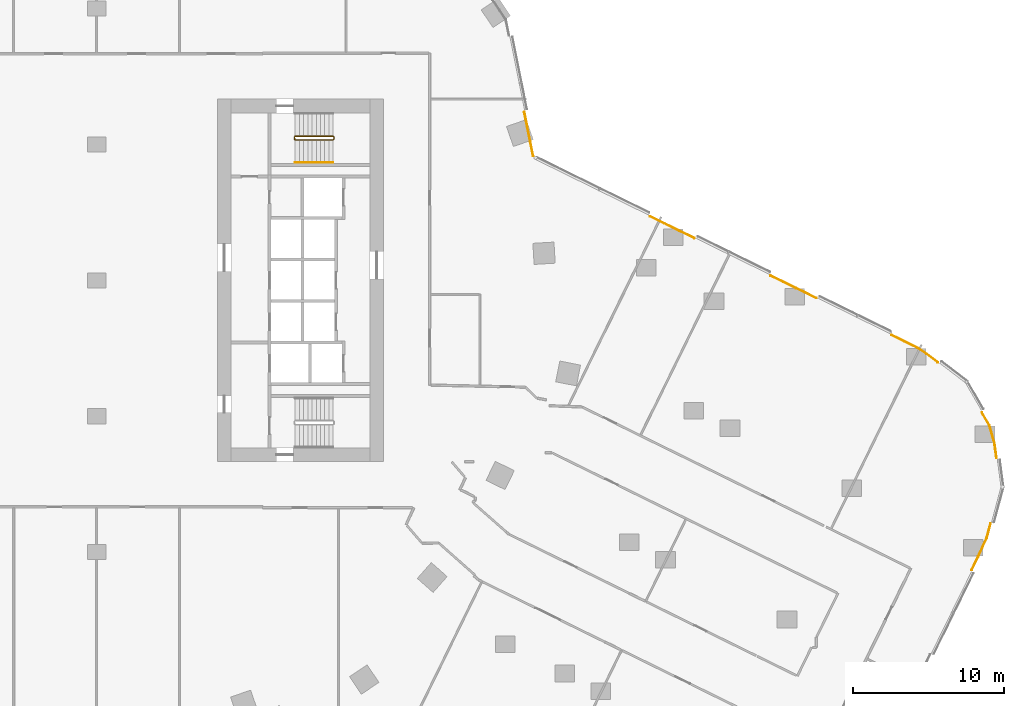
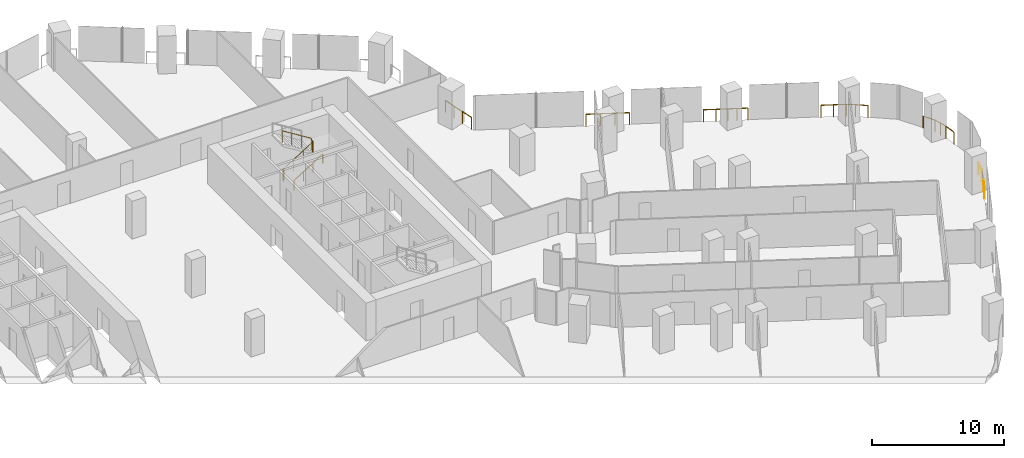
# One storey, part 31 of 32: 12 railings.
"""IFC4 building model written with IfcOpenShell, lengths in metres."""

from ifc_helpers import new_model, si_unit, direction, frame, origin, origin_2d, place, context, subcontext, project, spatial, circle, extrude, material, type_object, element, save


model = new_model("IFC4")

# Units and contexts
model_context = context("Model", 3, precision=1e-05, world=origin(), true_north=direction((0.0, 1.0)))
body_context = subcontext(model_context, "Body", "Model", "MODEL_VIEW")
ifc_project = project(units=[si_unit("LENGTHUNIT", "METRE"), si_unit("AREAUNIT", "SQUARE_METRE"), si_unit("VOLUMEUNIT", "CUBIC_METRE"), si_unit("PLANEANGLEUNIT", "RADIAN"), si_unit("MASSUNIT", "GRAM", prefix="KILO")], contexts=[model_context])

# Site, building, storey
site_placement = place(None, origin())
site = spatial("IfcSite", under=ifc_project, at=site_placement, CompositionType="ELEMENT")
building_placement = place(site_placement, origin())
building = spatial("IfcBuilding", under=site, at=building_placement, Name="Orlundy Tower", CompositionType="ELEMENT")
storey_placement = place(building_placement, frame((0.0, 0.0, 58.800048828125)))
storey = spatial("IfcBuildingStorey", under=building, at=storey_placement, Name="L13", CompositionType="ELEMENT", Elevation=58.800048828125)

# Railings
ifc_material_1 = material(Name="Steel balustrade", Category="steel")
railing_type_1 = type_object("IfcRailingType", Name="Stair Guard 1100", PredefinedType="GUARDRAIL", material=ifc_material_1)
railing_1_placement = place(storey_placement, frame((13.090087890625, 9.35009765625, 0.0)))
element("IfcRailing", 1, at=railing_1_placement, inside=storey, type_object=railing_type_1, Name="L13 ST-E2 stair guard 1", PredefinedType="GUARDRAIL", context=body_context, shape_type="SweptSolid", body=[
    extrude(circle(Radius=0.02392578125, at=origin_2d()), frame((0.0, 0.0, 1.076171875), z_axis=(0.0, 1.0, 0.0), x_axis=(-1.0, 0.0, 0.0)), (0.0, 0.0, 1.0), 0.14990234375),
    extrude(circle(Radius=0.02392578125, at=origin_2d()), frame((0.0, 0.14990234375, 1.076171875), z_axis=(0.18420542264, -0.739530593833, 0.647427882513), x_axis=(0.970351222016, 0.241699205484, 0.0)), (0.0, 0.0, 1.0), 0.270263671875),
    extrude(circle(Radius=0.02392578125, at=origin_2d()), frame((0.0498046875, -0.050048828125, 1.2509765625), z_axis=(0.848007534815, 0.0, 0.529984170421), x_axis=(0.0, 1.0, 0.0)), (0.0, 0.0, 1.0), 2.9716796875),
    extrude(circle(Radius=0.02392578125, at=origin_2d()), frame((2.56982421875, -0.050048828125, 2.826171875), z_axis=(0.707106781187, 0.707106781187, 0.0), x_axis=(-0.707106781187, 0.707106781187, 0.0)), (0.0, 0.0, 1.0), 0.07080078125),
    extrude(circle(Radius=0.02392578125, at=origin_2d()), frame((2.619873046875, 0.0, 2.826171875), z_axis=(0.0, 1.0, 0.0), x_axis=(-1.0, 0.0, 0.0)), (0.0, 0.0, 1.0), 0.14990234375),
    extrude(circle(Radius=0.02392578125, at=origin_2d()), frame((2.619873046875, 0.14990234375, 2.826171875), z_axis=(-0.265065253269, 0.265065253269, 0.927081885822), x_axis=(-0.707106781187, -0.707106781187, 0.0)), (0.0, 0.0, 1.0), 0.188720703125),
    extrude(circle(Radius=0.02392578125, at=origin_2d()), frame((2.56982421875, 0.199951171875, 3.0009765625), z_axis=(-0.848007534815, 0.0, 0.529984170421), x_axis=(0.0, -1.0, 0.0)), (0.0, 0.0, 1.0), 2.9716796875),
    extrude(circle(Radius=0.02099609375, at=origin_2d()), origin(), (0.0, 0.0, 1.0), 1.052001953125),
    extrude(circle(Radius=0.02099609375, at=origin_2d()), frame((0.0, 0.14990234375, 0.0)), (0.0, 0.0, 1.0), 1.052001953125),
    extrude(circle(Radius=0.02099609375, at=origin_2d()), frame((0.0498046875, -0.050048828125, 0.175048828125)), (0.0, 0.0, 1.0), 1.052001953125),
    extrude(circle(Radius=0.02099609375, at=origin_2d()), frame((0.889892578125, -0.050048828125, 0.699951171875)), (0.0, 0.0, 1.0), 1.052001953125),
    extrude(circle(Radius=0.02099609375, at=origin_2d()), frame((1.729736328125, -0.050048828125, 1.22509765625)), (0.0, 0.0, 1.0), 1.052001953125),
    extrude(circle(Radius=0.02099609375, at=origin_2d()), frame((2.56982421875, -0.050048828125, 1.75)), (0.0, 0.0, 1.0), 1.052001953125),
    extrude(circle(Radius=0.02099609375, at=origin_2d()), frame((2.619873046875, 0.0, 1.75)), (0.0, 0.0, 1.0), 1.052001953125),
    extrude(circle(Radius=0.02099609375, at=origin_2d()), frame((2.619873046875, 0.14990234375, 1.75)), (0.0, 0.0, 1.0), 1.052001953125),
    extrude(circle(Radius=0.02099609375, at=origin_2d()), frame((2.56982421875, 0.199951171875, 1.925048828125)), (0.0, 0.0, 1.0), 1.052001953125),
    extrude(circle(Radius=0.02099609375, at=origin_2d()), frame((1.729736328125, 0.199951171875, 2.449951171875)), (0.0, 0.0, 1.0), 1.052001953125),
    extrude(circle(Radius=0.02099609375, at=origin_2d()), frame((0.889892578125, 0.199951171875, 2.97509765625)), (0.0, 0.0, 1.0), 1.052001953125),
    extrude(circle(Radius=0.02099609375, at=origin_2d()), frame((0.0498046875, 0.199951171875, 3.5)), (0.0, 0.0, 1.0), 1.052001953125),
])
ifc_material_2 = material(Name="Steel handrail", Category="steel")
railing_type_2 = type_object("IfcRailingType", Name="Stair Handrail 900", PredefinedType="HANDRAIL", material=ifc_material_2)
railing_2_placement = place(storey_placement, frame((13.139892578125, 7.800048828125, 0.175048828125)))
element("IfcRailing", 2, at=railing_2_placement, inside=storey, type_object=railing_type_2, Name="L13 ST-E2 stair handrail 1", PredefinedType="HANDRAIL", context=body_context, shape_type="SweptSolid", body=[
    extrude(circle(Radius=0.02392578125, at=origin_2d()), frame((0.0, 0.0, 0.8759765625), z_axis=(0.848007534815, 0.0, 0.529984170421), x_axis=(0.0, 1.0, 0.0)), (0.0, 0.0, 1.0), 2.9716796875),
    extrude(circle(Radius=0.02099609375, at=origin_2d()), origin(), (0.0, 0.0, 1.0), 0.851806640625),
    extrude(circle(Radius=0.02099609375, at=origin_2d()), frame((0.840087890625, 0.0, 0.52490234375)), (0.0, 0.0, 1.0), 0.851806640625),
    extrude(circle(Radius=0.02099609375, at=origin_2d()), frame((1.679931640625, 0.0, 1.050048828125)), (0.0, 0.0, 1.0), 0.851806640625),
    extrude(circle(Radius=0.02099609375, at=origin_2d()), frame((2.52001953125, 0.0, 1.574951171875)), (0.0, 0.0, 1.0), 0.851806640625),
])
ifc_material_3 = material(Name="Stainless steel bronze finish", Category="steel")
railing_type_3 = type_object("IfcRailingType", Name="TG1 terrace guard", PredefinedType="GUARDRAIL", material=ifc_material_3)
railing_3_placement = place(storey_placement, frame((52.6396484375, -3.624755859375, 0.0)))
element("IfcRailing", 3, at=railing_3_placement, inside=storey, type_object=railing_type_3, Name="Guard TG-L13-E00", PredefinedType="GUARDRAIL", context=body_context, shape_type="SweptSolid", body=[
    extrude(circle(Radius=0.02490234375, at=origin_2d()), frame((0.0, 0.0, 1.09521484375), z_axis=(0.897517137834, -0.440979576958, 0.0), x_axis=(0.440979576958, 0.897517137834, 0.0)), (0.0, 0.0, 1.0), 1.91455078125),
    extrude(circle(Radius=0.02490234375, at=origin_2d()), frame((1.71826171875, -0.84423828125, 1.09521484375), z_axis=(0.832208912276, -0.554462195581, 0.0), x_axis=(0.554462195581, 0.832208912276, 0.0)), (0.0, 0.0, 1.0), 0.710205078125),
    extrude(circle(Radius=0.02490234375, at=origin_2d()), frame((2.309326171875, -1.238037109375, 1.09521484375), z_axis=(0.794387153387, -0.607411763578, 0.0), x_axis=(0.607411763578, 0.794387153387, 0.0)), (0.0, 0.0, 1.0), 0.9453125),
    extrude(circle(Radius=0.02001953125, at=origin_2d()), origin(), (0.0, 0.0, 1.0), 1.070068359375),
    extrude(circle(Radius=0.02001953125, at=origin_2d()), frame((0.859130859375, -0.422119140625, 0.0)), (0.0, 0.0, 1.0), 1.070068359375),
    extrude(circle(Radius=0.02001953125, at=origin_2d()), frame((1.71826171875, -0.84423828125, 0.0)), (0.0, 0.0, 1.0), 1.070068359375),
    extrude(circle(Radius=0.02001953125, at=origin_2d()), frame((2.309326171875, -1.238037109375, 0.0)), (0.0, 0.0, 1.0), 1.070068359375),
    extrude(circle(Radius=0.02001953125, at=origin_2d()), frame((3.060302734375, -1.812255859375, 0.0)), (0.0, 0.0, 1.0), 1.070068359375),
])
railing_4_placement = place(storey_placement, frame((36.631103515625, 4.240478515625, 0.0)))
element("IfcRailing", 4, at=railing_4_placement, inside=storey, type_object=railing_type_3, Name="Guard TG-L13-E06", PredefinedType="GUARDRAIL", context=body_context, shape_type="SweptSolid", body=[
    extrude(circle(Radius=0.02490234375, at=origin_2d()), frame((0.0, 0.0, 1.09521484375), z_axis=(0.897526976427, -0.440959552098, 0.0), x_axis=(0.440959552098, 0.897526976427, 0.0)), (0.0, 0.0, 1.0), 3.284912109375),
    extrude(circle(Radius=0.02001953125, at=origin_2d()), origin(), (0.0, 0.0, 1.0), 1.070068359375),
    extrude(circle(Radius=0.02001953125, at=origin_2d()), frame((0.982666015625, -0.48291015625, 0.0)), (0.0, 0.0, 1.0), 1.070068359375),
    extrude(circle(Radius=0.02001953125, at=origin_2d()), frame((1.965576171875, -0.965576171875, 0.0)), (0.0, 0.0, 1.0), 1.070068359375),
    extrude(circle(Radius=0.02001953125, at=origin_2d()), frame((2.9482421875, -1.448486328125, 0.0)), (0.0, 0.0, 1.0), 1.070068359375),
])
railing_5_placement = place(storey_placement, frame((58.6201171875, -8.74169921875, 0.0)))
element("IfcRailing", 5, at=railing_5_placement, inside=storey, type_object=railing_type_3, Name="Guard TG-L13-E07", PredefinedType="GUARDRAIL", context=body_context, shape_type="SweptSolid", body=[
    extrude(circle(Radius=0.02490234375, at=origin_2d()), frame((0.0, 0.0, 1.09521484375), z_axis=(0.500988475711, -0.865453954411, 0.0), x_axis=(0.865453954411, 0.500988475711, 0.0)), (0.0, 0.0, 1.0), 1.0068359375),
    extrude(circle(Radius=0.02490234375, at=origin_2d()), frame((0.50439453125, -0.871337890625, 1.09521484375), z_axis=(0.275950028505, -0.96117198345, 0.0), x_axis=(0.96117198345, 0.275950028505, 0.0)), (0.0, 0.0, 1.0), 1.206787109375),
    extrude(circle(Radius=0.02490234375, at=origin_2d()), frame((0.83740234375, -2.03125, 1.09521484375), z_axis=(0.131921441122, -0.991260174411, 0.0), x_axis=(0.991260174411, 0.131921441122, 0.0)), (0.0, 0.0, 1.0), 0.989990234375),
    extrude(circle(Radius=0.02001953125, at=origin_2d()), origin(), (0.0, 0.0, 1.0), 1.070068359375),
    extrude(circle(Radius=0.02001953125, at=origin_2d()), frame((0.50439453125, -0.871337890625, 0.0)), (0.0, 0.0, 1.0), 1.070068359375),
    extrude(circle(Radius=0.02001953125, at=origin_2d()), frame((0.6708984375, -1.451171875, 0.0)), (0.0, 0.0, 1.0), 1.070068359375),
    extrude(circle(Radius=0.02001953125, at=origin_2d()), frame((0.83740234375, -2.03125, 0.0)), (0.0, 0.0, 1.0), 1.070068359375),
    extrude(circle(Radius=0.02001953125, at=origin_2d()), frame((0.968017578125, -3.0126953125, 0.0)), (0.0, 0.0, 1.0), 1.070068359375),
])
railing_6_placement = place(storey_placement, frame((28.32080078125, 11.15185546875, 0.0)))
element("IfcRailing", 6, at=railing_6_placement, inside=storey, type_object=railing_type_3, Name="Guard TG-L13-E010", PredefinedType="GUARDRAIL", context=body_context, shape_type="SweptSolid", body=[
    extrude(circle(Radius=0.02490234375, at=origin_2d()), frame((0.0, 0.0, 1.09521484375), z_axis=(0.19655729304, -0.980492340895, 0.0), x_axis=(0.980492340895, 0.19655729304, 0.0)), (0.0, 0.0, 1.0), 2.979736328125),
    extrude(circle(Radius=0.02001953125, at=origin_2d()), origin(), (0.0, 0.0, 1.0), 1.070068359375),
    extrude(circle(Radius=0.02001953125, at=origin_2d()), frame((0.1953125, -0.973876953125, 0.0)), (0.0, 0.0, 1.0), 1.070068359375),
    extrude(circle(Radius=0.02001953125, at=origin_2d()), frame((0.390380859375, -1.94775390625, 0.0)), (0.0, 0.0, 1.0), 1.070068359375),
    extrude(circle(Radius=0.02001953125, at=origin_2d()), frame((0.585693359375, -2.921630859375, 0.0)), (0.0, 0.0, 1.0), 1.070068359375),
])
railing_7_placement = place(storey_placement, frame((44.62939453125, 0.310791015625, 0.0)))
element("IfcRailing", 7, at=railing_7_placement, inside=storey, type_object=railing_type_3, Name="Guard TG-L13-E021", PredefinedType="GUARDRAIL", context=body_context, shape_type="SweptSolid", body=[
    extrude(circle(Radius=0.02490234375, at=origin_2d()), frame((0.0, 0.0, 1.09521484375), z_axis=(0.897559756878, -0.440892824657, 0.0), x_axis=(0.440892824657, 0.897559756878, 0.0)), (0.0, 0.0, 1.0), 1.872802734375),
    extrude(circle(Radius=0.02001953125, at=origin_2d()), origin(), (0.0, 0.0, 1.0), 1.070068359375),
    extrude(circle(Radius=0.02001953125, at=origin_2d()), frame((0.84033203125, -0.412841796875, 0.0)), (0.0, 0.0, 1.0), 1.070068359375),
    extrude(circle(Radius=0.02001953125, at=origin_2d()), frame((1.680908203125, -0.82568359375, 0.0)), (0.0, 0.0, 1.0), 1.070068359375),
])
railing_8_placement = place(storey_placement, frame((58.94287109375, -17.052490234375, 0.0)))
element("IfcRailing", 8, at=railing_8_placement, inside=storey, type_object=railing_type_3, Name="Guard TG-L13-E024", PredefinedType="GUARDRAIL", context=body_context, shape_type="SweptSolid", body=[
    extrude(circle(Radius=0.02490234375, at=origin_2d()), frame((0.0, 0.0, 1.09521484375), z_axis=(-0.415696104736, -0.909503572564, 0.0), x_axis=(0.909503572564, -0.415696104736, 0.0)), (0.0, 0.0, 1.0), 1.359619140625),
    extrude(circle(Radius=0.02001953125, at=origin_2d()), origin(), (0.0, 0.0, 1.0), 1.070068359375),
    extrude(circle(Radius=0.02001953125, at=origin_2d()), frame((-0.28271484375, -0.6181640625, 0.0)), (0.0, 0.0, 1.0), 1.070068359375),
    extrude(circle(Radius=0.02001953125, at=origin_2d()), frame((-0.565185546875, -1.236572265625, 0.0)), (0.0, 0.0, 1.0), 1.070068359375),
])
railing_9_placement = place(storey_placement, frame((58.377685546875, -18.2890625, 0.0)))
element("IfcRailing", 9, at=railing_9_placement, inside=storey, type_object=railing_type_3, Name="Guard TG-L13-E025", PredefinedType="GUARDRAIL", context=body_context, shape_type="SweptSolid", body=[
    extrude(circle(Radius=0.02490234375, at=origin_2d()), frame((0.0, 0.0, 1.09521484375), z_axis=(-0.440942500193, -0.897535353913, 0.0), x_axis=(0.897535353913, -0.440942500193, 0.0)), (0.0, 0.0, 1.0), 0.982666015625),
    extrude(circle(Radius=0.02001953125, at=origin_2d()), origin(), (0.0, 0.0, 1.0), 1.070068359375),
    extrude(circle(Radius=0.02001953125, at=origin_2d()), frame((-0.433349609375, -0.882080078125, 0.0)), (0.0, 0.0, 1.0), 1.070068359375),
])
railing_10_placement = place(storey_placement, frame((59.1923828125, -16.11474609375, 0.0)))
element("IfcRailing", 10, at=railing_10_placement, inside=storey, type_object=railing_type_3, Name="Guard TG-L13-E026", PredefinedType="GUARDRAIL", context=body_context, shape_type="SweptSolid", body=[
    extrude(circle(Radius=0.02490234375, at=origin_2d()), frame((0.0, 0.0, 1.09521484375), z_axis=(-0.257130190281, -0.966376771889, 0.0), x_axis=(0.966376771889, -0.257130190281, 0.0)), (0.0, 0.0, 1.0), 0.970458984375),
    extrude(circle(Radius=0.02001953125, at=origin_2d()), origin(), (0.0, 0.0, 1.0), 1.070068359375),
    extrude(circle(Radius=0.02001953125, at=origin_2d()), frame((-0.24951171875, -0.937744140625, 0.0)), (0.0, 0.0, 1.0), 1.070068359375),
])
railing_11_placement = place(storey_placement, frame((46.90087890625, -0.805419921875, 0.0)))
element("IfcRailing", 11, at=railing_11_placement, inside=storey, type_object=railing_type_3, Name="Guard TG-L13-E027", PredefinedType="GUARDRAIL", context=body_context, shape_type="SweptSolid", body=[
    extrude(circle(Radius=0.02490234375, at=origin_2d()), frame((0.0, 0.0, 1.09521484375), z_axis=(0.897615116857, -0.440780106164, 0.0), x_axis=(0.440780106164, 0.897615116857, 0.0)), (0.0, 0.0, 1.0), 0.83642578125),
    extrude(circle(Radius=0.02001953125, at=origin_2d()), origin(), (0.0, 0.0, 1.0), 1.070068359375),
    extrude(circle(Radius=0.02001953125, at=origin_2d()), frame((0.750732421875, -0.36865234375, 0.0)), (0.0, 0.0, 1.0), 1.070068359375),
])
railing_12_placement = place(storey_placement, frame((46.310302734375, -0.514892578125, 0.0)))
element("IfcRailing", 12, at=railing_12_placement, inside=storey, type_object=railing_type_3, Name="Guard TG-L13-E028", PredefinedType="GUARDRAIL", context=body_context, shape_type="SweptSolid", body=[
    extrude(circle(Radius=0.02490234375, at=origin_2d()), frame((0.0, 0.0, 1.09521484375), z_axis=(0.897301797286, -0.441417585271, 0.0), x_axis=(0.441417585271, 0.897301797286, 0.0)), (0.0, 0.0, 1.0), 0.658203125),
    extrude(circle(Radius=0.02001953125, at=origin_2d()), origin(), (0.0, 0.0, 1.0), 1.070068359375),
    extrude(circle(Radius=0.02001953125, at=origin_2d()), frame((0.590576171875, -0.29052734375, 0.0)), (0.0, 0.0, 1.0), 1.070068359375),
])

save(model, "model.ifc")
